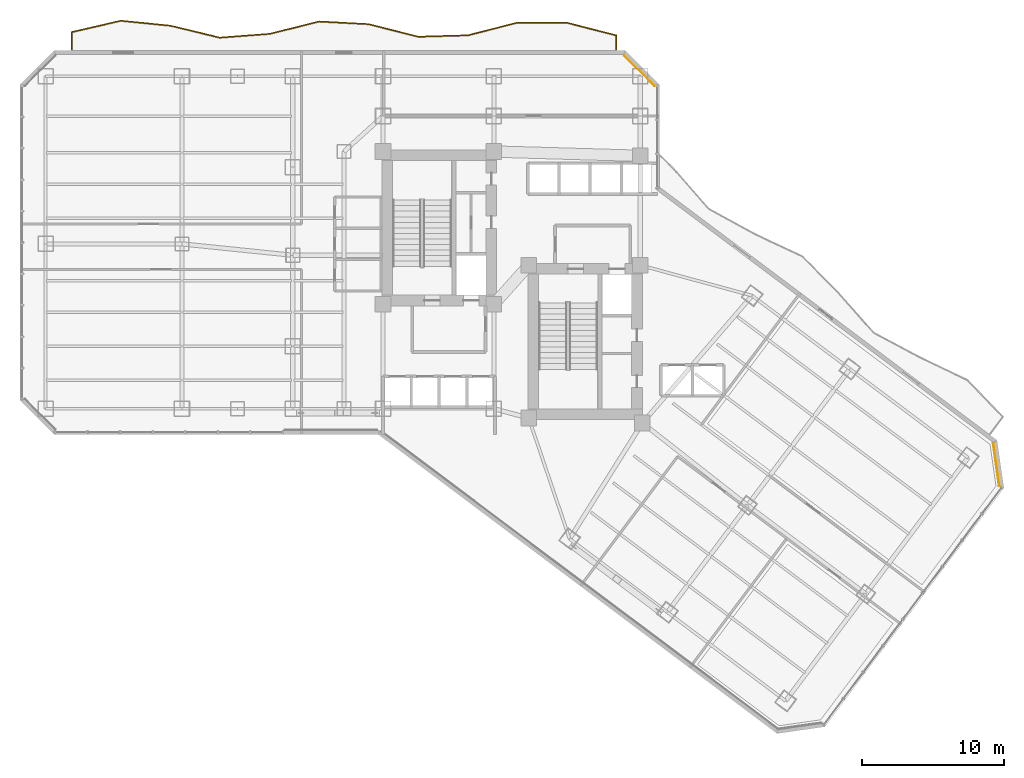
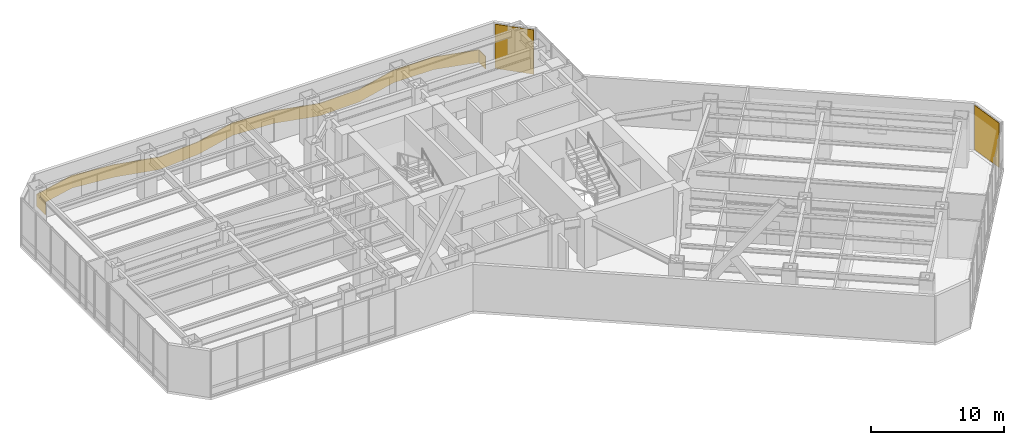
# One storey, part 29 of 29: 2 coverings, 1 railing.
"""IFC4 building model written with IfcOpenShell, lengths in metres."""

from ifc_helpers import new_model, si_unit, direction, frame, origin, origin_2d, place, context, subcontext, project, spatial, polyline, rectangle, outline, extrude, material, layer, layer_set, type_object, element, save


model = new_model("IFC4")

# Units and contexts
model_context = context("Model", 3, precision=1e-05, world=origin(), true_north=direction((0.0, 1.0)))
body_context = subcontext(model_context, "Body", "Model", "MODEL_VIEW")
ifc_project = project(units=[si_unit("LENGTHUNIT", "METRE"), si_unit("AREAUNIT", "SQUARE_METRE"), si_unit("VOLUMEUNIT", "CUBIC_METRE"), si_unit("PLANEANGLEUNIT", "RADIAN"), si_unit("MASSUNIT", "GRAM", prefix="KILO")], contexts=[model_context])

# Site, building, storey
site_placement = place(None, origin())
site = spatial("IfcSite", under=ifc_project, at=site_placement, CompositionType="ELEMENT")
building_placement = place(site_placement, origin())
building = spatial("IfcBuilding", under=site, at=building_placement, Name="Hatsunagi Terrace Concourse", CompositionType="ELEMENT")
storey_placement = place(building_placement, frame((0.0, 0.0, 32.10009765625)))
storey = spatial("IfcBuildingStorey", under=building, at=storey_placement, Name="L07", CompositionType="ELEMENT", Elevation=32.10009765625)

# Railing
ifc_material_1 = material(Name="Laminated Glass and Stainless Steel Guard", Category="steel")
ifc_layer_1 = layer(ifc_material_1, 0.070068359375)
ifc_layer_set_1 = layer_set([ifc_layer_1], Name="BalconyGlassGuardRail_1150")
railing_type = type_object("IfcRailingType", Name="BalconyGlassGuardRail_1150", PredefinedType="BALUSTRADE", material=ifc_layer_set_1)
railing_placement = place(storey_placement, origin())
element("IfcRailing", 1, at=railing_placement, inside=storey, type_object=railing_type, Name="Engawa Balcony Guard GRD-01 L07-BN-1", PredefinedType="BALUSTRADE", context=body_context, shape_type="SweptSolid", body=[
    extrude(outline(polyline([(3.614990234375, 50.449951171875), (3.68505859375, 50.449951171875), (3.68505859375, 51.68115234375), (7.09619140625, 52.4716796875), (10.568115234375, 52.12548828125), (14.066162109375, 51.28173828125), (17.57763671875, 51.55126953125), (21.0634765625, 52.417724609375), (24.53173828125, 52.232177734375), (28.026123046875, 51.346923828125), (31.538818359375, 51.44921875), (35.0283203125, 52.343994140625), (38.49853515625, 52.326904296875), (41.9150390625, 51.448974609375), (41.9150390625, 50.449951171875), (41.985107421875, 50.449951171875), (41.985107421875, 51.503173828125), (38.507568359375, 52.39697265625), (35.019775390625, 52.4140625), (31.529052734375, 51.518798828125), (28.033935546875, 51.4169921875), (24.542236328125, 52.3017578125), (21.056640625, 52.48828125), (17.56640625, 51.62060546875), (14.07177734375, 51.352294921875), (10.579833984375, 52.194580078125), (7.091796875, 52.54248046875), (3.614990234375, 51.73681640625), (3.614990234375, 50.449951171875)])), origin(), (0.0, 0.0, 1.0), 1.14990234375),
])

# Coverings
ifc_material_2 = material(Name="Unglazed Warm Terracotta Rainscreen Tile", Category="masonry")
ifc_layer_2 = layer(ifc_material_2, 0.044921875)
ifc_layer_set_2 = layer_set([ifc_layer_2], Name="TerracottaRainscreenCladding_45")
covering_type = type_object("IfcCoveringType", Name="TerracottaRainscreenCladding_45", PredefinedType="CLADDING", material=ifc_layer_set_2)
for number, where, z_axis, x_axis, name in (
    (2, (68.700927734375, 21.258056640625, 0.099853515625), (0.0, 0.0, 1.0), (0.141250262458, -0.989973920543, 0.0), "Terracotta Rainscreen Cladding L07-02"),
    (3, (43.5859375, 48.986083984375, 0.099853515625), (0.0, 0.0, 1.0), (0.707106781187, -0.707106781187, 0.0), "Terracotta Rainscreen Cladding L07-12"),
):
    element("IfcCovering", number, at=place(storey_placement, frame(where, z_axis=z_axis, x_axis=x_axis)), inside=storey, type_object=covering_type, Name=name, PredefinedType="CLADDING", context=body_context, shape_type="SweptSolid", body=[
        extrude(rectangle(XDim=3.0380859375, YDim=0.044921875, at=origin_2d()), origin(), (0.0, 0.0, 1.0), 4.080078125),
    ])

save(model, "model.ifc")
